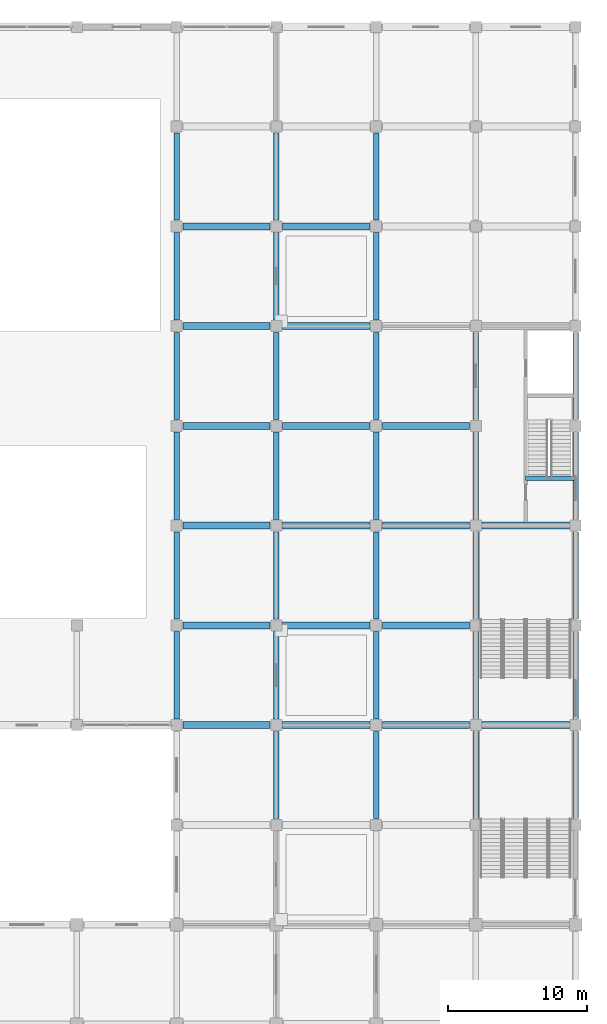
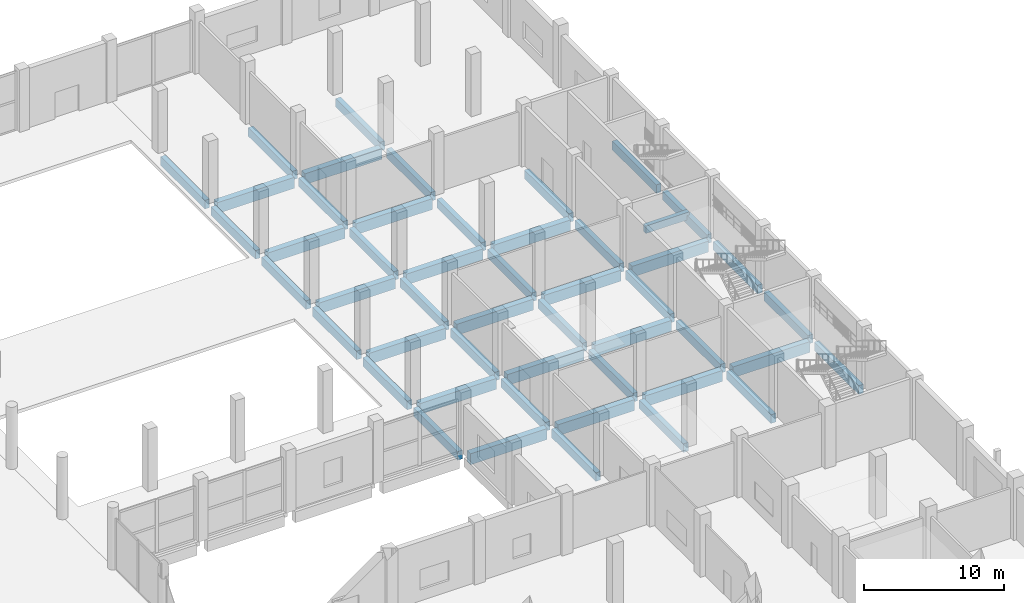
# One storey, part 38 of 70: 49 beams.
"""IFC4 building model written with IfcOpenShell, lengths in metres."""

from ifc_helpers import new_model, si_unit, direction, frame, origin, origin_2d, place, context, subcontext, project, spatial, rectangle, extrude, material, material_profile, profile_set, type_object, element, save


model = new_model("IFC4")

# Units and contexts
model_context = context("Model", 3, precision=1e-05, world=origin(), true_north=direction((0.0, 1.0)))
body_context = subcontext(model_context, "Body", "Model", "MODEL_VIEW")
ifc_project = project(units=[si_unit("LENGTHUNIT", "METRE"), si_unit("AREAUNIT", "SQUARE_METRE"), si_unit("VOLUMEUNIT", "CUBIC_METRE"), si_unit("PLANEANGLEUNIT", "RADIAN"), si_unit("MASSUNIT", "GRAM", prefix="KILO")], contexts=[model_context])

# Site, building, storey
site_placement = place(None, origin())
site = spatial("IfcSite", under=ifc_project, at=site_placement, CompositionType="ELEMENT")
building_placement = place(site_placement, origin())
building = spatial("IfcBuilding", under=site, at=building_placement, Name="Vesperath Aquatics Centre", CompositionType="ELEMENT")
storey_placement = place(building_placement, origin())
storey = spatial("IfcBuildingStorey", under=building, at=storey_placement, Name="L00", CompositionType="ELEMENT", Elevation=0.0)

# Beams
ifc_material_1 = material(Name="Concrete C40", Category="concrete")
ifc_material_profile_1 = material_profile(ifc_material_1, rectangle(XDim=0.5, YDim=0.949951171875, at=origin_2d()), Name="RC 500x950")
ifc_profile_set_1 = profile_set([ifc_material_profile_1], Name="Concrete C40")
beam_type_1 = type_object("IfcBeamType", Name="BM-G02", PredefinedType="BEAM", material=ifc_profile_set_1)
for number, where, z_axis, x_axis, name in (
    (1, (144.449951171875, 64.800048828125, -0.7548828125), (1.0, 0.0, 0.0), (0.0, 1.0, 0.0), "Floor Girder B02 L00 K 21-22"),
    (2, (144.449951171875, 72.0, -0.7548828125), (1.0, 0.0, 0.0), (0.0, 1.0, 0.0), "Floor Girder B02 L00 L 21-22"),
    (3, (144.449951171875, 79.199951171875, -0.7548828125), (1.0, 0.0, 0.0), (0.0, 1.0, 0.0), "Floor Girder B02 L00 M 21-22"),
    (4, (144.449951171875, 86.39990234375, -0.7548828125), (1.0, 0.0, 0.0), (0.0, 1.0, 0.0), "Floor Girder B02 L00 N 21-22"),
    (5, (144.449951171875, 93.60009765625, -0.7548828125), (1.0, 0.0, 0.0), (0.0, 1.0, 0.0), "Floor Girder B02 L00 P 21-22"),
    (6, (144.449951171875, 100.800048828125, -0.7548828125), (1.0, 0.0, 0.0), (0.0, 1.0, 0.0), "Floor Girder B02 L00 Q 21-22"),
    (7, (151.64990234375, 64.800048828125, -0.7548828125), (1.0, 0.0, 0.0), (0.0, 1.0, 0.0), "Floor Girder B02 L00 K 22-23"),
    (8, (151.64990234375, 72.0, -0.7548828125), (1.0, 0.0, 0.0), (0.0, 1.0, 0.0), "Floor Girder B02 L00 L 22-23"),
    (9, (151.64990234375, 79.199951171875, -0.7548828125), (1.0, 0.0, 0.0), (0.0, 1.0, 0.0), "Floor Girder B02 L00 M 22-23"),
    (10, (151.64990234375, 86.39990234375, -0.7548828125), (1.0, 0.0, 0.0), (0.0, 1.0, 0.0), "Floor Girder B02 L00 N 22-23"),
    (11, (151.64990234375, 93.60009765625, -0.7548828125), (1.0, 0.0, 0.0), (0.0, 1.0, 0.0), "Floor Girder B02 L00 P 22-23"),
    (12, (151.64990234375, 100.800048828125, -0.7548828125), (1.0, 0.0, 0.0), (0.0, 1.0, 0.0), "Floor Girder B02 L00 Q 22-23"),
):
    element("IfcBeam", number, at=place(storey_placement, frame(where, z_axis=z_axis, x_axis=x_axis)), inside=storey, type_object=beam_type_1, Name=name, PredefinedType="BEAM", context=body_context, shape_type="SweptSolid", body=[
        extrude(rectangle(XDim=0.5, YDim=0.949951171875, at=origin_2d()), origin(), (0.0, 0.0, 1.0), 6.300048828125),
    ])
for number, where, z_axis, x_axis, name in (
    (13, (158.85009765625, 64.800048828125, -0.7548828125), (1.0, 0.0, 0.0), (0.0, 1.0, 0.0), "Floor Girder B02 L00 K 23-24"),
    (14, (158.85009765625, 72.0, -0.7548828125), (1.0, 0.0, 0.0), (0.0, 1.0, 0.0), "Floor Girder B02 L00 L 23-24"),
    (15, (158.85009765625, 79.199951171875, -0.7548828125), (1.0, 0.0, 0.0), (0.0, 1.0, 0.0), "Floor Girder B02 L00 M 23-24"),
    (16, (158.85009765625, 86.39990234375, -0.7548828125), (1.0, 0.0, 0.0), (0.0, 1.0, 0.0), "Floor Girder B02 L00 N 23-24"),
):
    element("IfcBeam", number, at=place(storey_placement, frame(where, z_axis=z_axis, x_axis=x_axis)), inside=storey, type_object=beam_type_1, Name=name, PredefinedType="BEAM", context=body_context, shape_type="SweptSolid", body=[
        extrude(rectangle(XDim=0.5, YDim=0.949951171875, at=origin_2d()), origin(), (0.0, 0.0, 1.0), 6.2998046875),
    ])
for number, where, z_axis, x_axis, name in (
    (17, (166.050048828125, 64.800048828125, -0.7548828125), (1.0, 0.0, 0.0), (0.0, 1.0, 0.0), "Floor Girder B02 L00 K 24-25"),
    (18, (166.050048828125, 79.199951171875, -0.7548828125), (1.0, 0.0, 0.0), (0.0, 1.0, 0.0), "Floor Girder B02 L00 M 24-25"),
):
    element("IfcBeam", number, at=place(storey_placement, frame(where, z_axis=z_axis, x_axis=x_axis)), inside=storey, type_object=beam_type_1, Name=name, PredefinedType="BEAM", context=body_context, shape_type="SweptSolid", body=[
        extrude(rectangle(XDim=0.5, YDim=0.949951171875, at=origin_2d()), origin(), (0.0, 0.0, 1.0), 6.300048828125),
    ])
ifc_material_2 = material(Name="Concrete C35", Category="concrete")
ifc_material_profile_2 = material_profile(ifc_material_2, rectangle(XDim=0.39990234375, YDim=0.75, at=origin_2d()), Name="RC 400x750")
ifc_profile_set_2 = profile_set([ifc_material_profile_2], Name="Concrete C35")
beam_type_2 = type_object("IfcBeamType", Name="BM-G04", PredefinedType="BEAM", material=ifc_profile_set_2)
for number, where, z_axis, x_axis, name in (
    (19, (144.0, 65.25, -0.655029296875), (0.0, 1.0, 0.0), (-1.0, 0.0, 0.0), "Floor Girder B04 L00 21 K-L"),
    (20, (144.0, 72.449951171875, -0.655029296875), (0.0, 1.0, 0.0), (-1.0, 0.0, 0.0), "Floor Girder B04 L00 21 L-M"),
    (21, (144.0, 79.64990234375, -0.655029296875), (0.0, 1.0, 0.0), (-1.0, 0.0, 0.0), "Floor Girder B04 L00 21 M-N"),
):
    element("IfcBeam", number, at=place(storey_placement, frame(where, z_axis=z_axis, x_axis=x_axis)), inside=storey, type_object=beam_type_2, Name=name, PredefinedType="BEAM", context=body_context, shape_type="SweptSolid", body=[
        extrude(rectangle(XDim=0.39990234375, YDim=0.75, at=origin_2d()), origin(), (0.0, 0.0, 1.0), 6.300048828125),
    ])
beam_1_placement = place(storey_placement, frame((144.0, 86.85009765625, -0.655029296875), z_axis=(0.0, 1.0, 0.0), x_axis=(-1.0, 0.0, 0.0)))
element("IfcBeam", 22, at=beam_1_placement, inside=storey, type_object=beam_type_2, Name="Floor Girder B04 L00 21 N-P", PredefinedType="BEAM", context=body_context, shape_type="SweptSolid", body=[
    extrude(rectangle(XDim=0.39990234375, YDim=0.75, at=origin_2d()), origin(), (0.0, 0.0, 1.0), 6.2998046875),
])
for number, where, z_axis, x_axis, name in (
    (23, (144.0, 94.050048828125, -0.655029296875), (0.0, 1.0, 0.0), (-1.0, 0.0, 0.0), "Floor Girder B04 L00 21 P-Q"),
    (24, (144.0, 101.25, -0.655029296875), (0.0, 1.0, 0.0), (-1.0, 0.0, 0.0), "Floor Girder B04 L00 21 Q-R"),
    (25, (151.199951171875, 58.050048828125, -0.655029296875), (0.0, 1.0, 0.0), (-1.0, 0.0, 0.0), "Floor Girder B04 L00 22 J-K"),
    (26, (151.199951171875, 65.25, -0.655029296875), (0.0, 1.0, 0.0), (-1.0, 0.0, 0.0), "Floor Girder B04 L00 22 K-L"),
    (27, (151.199951171875, 72.449951171875, -0.655029296875), (0.0, 1.0, 0.0), (-1.0, 0.0, 0.0), "Floor Girder B04 L00 22 L-M"),
    (28, (151.199951171875, 79.64990234375, -0.655029296875), (0.0, 1.0, 0.0), (-1.0, 0.0, 0.0), "Floor Girder B04 L00 22 M-N"),
):
    element("IfcBeam", number, at=place(storey_placement, frame(where, z_axis=z_axis, x_axis=x_axis)), inside=storey, type_object=beam_type_2, Name=name, PredefinedType="BEAM", context=body_context, shape_type="SweptSolid", body=[
        extrude(rectangle(XDim=0.39990234375, YDim=0.75, at=origin_2d()), origin(), (0.0, 0.0, 1.0), 6.300048828125),
    ])
beam_2_placement = place(storey_placement, frame((151.199951171875, 86.85009765625, -0.655029296875), z_axis=(0.0, 1.0, 0.0), x_axis=(-1.0, 0.0, 0.0)))
element("IfcBeam", 29, at=beam_2_placement, inside=storey, type_object=beam_type_2, Name="Floor Girder B04 L00 22 N-P", PredefinedType="BEAM", context=body_context, shape_type="SweptSolid", body=[
    extrude(rectangle(XDim=0.39990234375, YDim=0.75, at=origin_2d()), origin(), (0.0, 0.0, 1.0), 6.2998046875),
])
for number, where, z_axis, x_axis, name in (
    (30, (151.199951171875, 94.050048828125, -0.655029296875), (0.0, 1.0, 0.0), (-1.0, 0.0, 0.0), "Floor Girder B04 L00 22 P-Q"),
    (31, (151.199951171875, 101.25, -0.655029296875), (0.0, 1.0, 0.0), (-1.0, 0.0, 0.0), "Floor Girder B04 L00 22 Q-R"),
    (32, (158.39990234375, 58.050048828125, -0.655029296875), (0.0, 1.0, 0.0), (-1.0, 0.0, 0.0), "Floor Girder B04 L00 23 J-K"),
    (33, (158.39990234375, 65.25, -0.655029296875), (0.0, 1.0, 0.0), (-1.0, 0.0, 0.0), "Floor Girder B04 L00 23 K-L"),
    (34, (158.39990234375, 72.449951171875, -0.655029296875), (0.0, 1.0, 0.0), (-1.0, 0.0, 0.0), "Floor Girder B04 L00 23 L-M"),
    (35, (158.39990234375, 79.64990234375, -0.655029296875), (0.0, 1.0, 0.0), (-1.0, 0.0, 0.0), "Floor Girder B04 L00 23 M-N"),
):
    element("IfcBeam", number, at=place(storey_placement, frame(where, z_axis=z_axis, x_axis=x_axis)), inside=storey, type_object=beam_type_2, Name=name, PredefinedType="BEAM", context=body_context, shape_type="SweptSolid", body=[
        extrude(rectangle(XDim=0.39990234375, YDim=0.75, at=origin_2d()), origin(), (0.0, 0.0, 1.0), 6.300048828125),
    ])
beam_3_placement = place(storey_placement, frame((158.39990234375, 86.85009765625, -0.655029296875), z_axis=(0.0, 1.0, 0.0), x_axis=(-1.0, 0.0, 0.0)))
element("IfcBeam", 36, at=beam_3_placement, inside=storey, type_object=beam_type_2, Name="Floor Girder B04 L00 23 N-P", PredefinedType="BEAM", context=body_context, shape_type="SweptSolid", body=[
    extrude(rectangle(XDim=0.39990234375, YDim=0.75, at=origin_2d()), origin(), (0.0, 0.0, 1.0), 6.2998046875),
])
for number, where, z_axis, x_axis, name in (
    (37, (158.39990234375, 94.050048828125, -0.655029296875), (0.0, 1.0, 0.0), (-1.0, 0.0, 0.0), "Floor Girder B04 L00 23 P-Q"),
    (38, (158.39990234375, 101.25, -0.655029296875), (0.0, 1.0, 0.0), (-1.0, 0.0, 0.0), "Floor Girder B04 L00 23 Q-R"),
    (39, (165.60009765625, 58.050048828125, -0.655029296875), (0.0, 1.0, 0.0), (-1.0, 0.0, 0.0), "Floor Girder B04 L00 24 J-K"),
    (40, (165.60009765625, 65.25, -0.655029296875), (0.0, 1.0, 0.0), (-1.0, 0.0, 0.0), "Floor Girder B04 L00 24 K-L"),
    (41, (165.60009765625, 72.449951171875, -0.655029296875), (0.0, 1.0, 0.0), (-1.0, 0.0, 0.0), "Floor Girder B04 L00 24 L-M"),
    (42, (165.60009765625, 79.64990234375, -0.655029296875), (0.0, 1.0, 0.0), (-1.0, 0.0, 0.0), "Floor Girder B04 L00 24 M-N"),
):
    element("IfcBeam", number, at=place(storey_placement, frame(where, z_axis=z_axis, x_axis=x_axis)), inside=storey, type_object=beam_type_2, Name=name, PredefinedType="BEAM", context=body_context, shape_type="SweptSolid", body=[
        extrude(rectangle(XDim=0.39990234375, YDim=0.75, at=origin_2d()), origin(), (0.0, 0.0, 1.0), 6.300048828125),
    ])
beam_4_placement = place(storey_placement, frame((165.60009765625, 86.85009765625, -0.655029296875), z_axis=(0.0, 1.0, 0.0), x_axis=(-1.0, 0.0, 0.0)))
element("IfcBeam", 43, at=beam_4_placement, inside=storey, type_object=beam_type_2, Name="Floor Girder B04 L00 24 N-P", PredefinedType="BEAM", context=body_context, shape_type="SweptSolid", body=[
    extrude(rectangle(XDim=0.39990234375, YDim=0.75, at=origin_2d()), origin(), (0.0, 0.0, 1.0), 6.2998046875),
])
for number, where, z_axis, x_axis, name in (
    (44, (172.800048828125, 58.050048828125, -0.655029296875), (0.0, 1.0, 0.0), (-1.0, 0.0, 0.0), "Floor Girder B04 L00 25 J-K"),
    (45, (172.800048828125, 65.25, -0.655029296875), (0.0, 1.0, 0.0), (-1.0, 0.0, 0.0), "Floor Girder B04 L00 25 K-L"),
    (46, (172.800048828125, 72.449951171875, -0.655029296875), (0.0, 1.0, 0.0), (-1.0, 0.0, 0.0), "Floor Girder B04 L00 25 L-M"),
    (47, (172.800048828125, 79.64990234375, -0.655029296875), (0.0, 1.0, 0.0), (-1.0, 0.0, 0.0), "Floor Girder B04 L00 25 M-N"),
):
    element("IfcBeam", number, at=place(storey_placement, frame(where, z_axis=z_axis, x_axis=x_axis)), inside=storey, type_object=beam_type_2, Name=name, PredefinedType="BEAM", context=body_context, shape_type="SweptSolid", body=[
        extrude(rectangle(XDim=0.39990234375, YDim=0.75, at=origin_2d()), origin(), (0.0, 0.0, 1.0), 6.300048828125),
    ])
beam_5_placement = place(storey_placement, frame((172.800048828125, 86.85009765625, -0.655029296875), z_axis=(0.0, 1.0, 0.0), x_axis=(-1.0, 0.0, 0.0)))
element("IfcBeam", 48, at=beam_5_placement, inside=storey, type_object=beam_type_2, Name="Floor Girder B04 L00 25 N-P", PredefinedType="BEAM", context=body_context, shape_type="SweptSolid", body=[
    extrude(rectangle(XDim=0.39990234375, YDim=0.75, at=origin_2d()), origin(), (0.0, 0.0, 1.0), 6.2998046875),
])
ifc_material_profile_3 = material_profile(ifc_material_2, rectangle(XDim=0.35009765625, YDim=0.64990234375, at=origin_2d()), Name="RC 350x650")
ifc_profile_set_3 = profile_set([ifc_material_profile_3], Name="Concrete C35")
beam_type_3 = type_object("IfcBeamType", Name="BM-G05", PredefinedType="BEAM", material=ifc_profile_set_3)
beam_6_placement = place(storey_placement, frame((169.199951171875, 82.6201171875, -0.324951171875), z_axis=(1.0, 0.0, 0.0), x_axis=(0.0, 1.0, 0.0)))
element("IfcBeam", 49, at=beam_6_placement, inside=storey, type_object=beam_type_3, Name="Stair ST4 Landing Trimmer Beam B05 L00", PredefinedType="BEAM", context=body_context, shape_type="SweptSolid", body=[
    extrude(rectangle(XDim=0.35009765625, YDim=0.64990234375, at=origin_2d()), origin(), (0.0, 0.0, 1.0), 3.60009765625),
])

save(model, "model.ifc")
